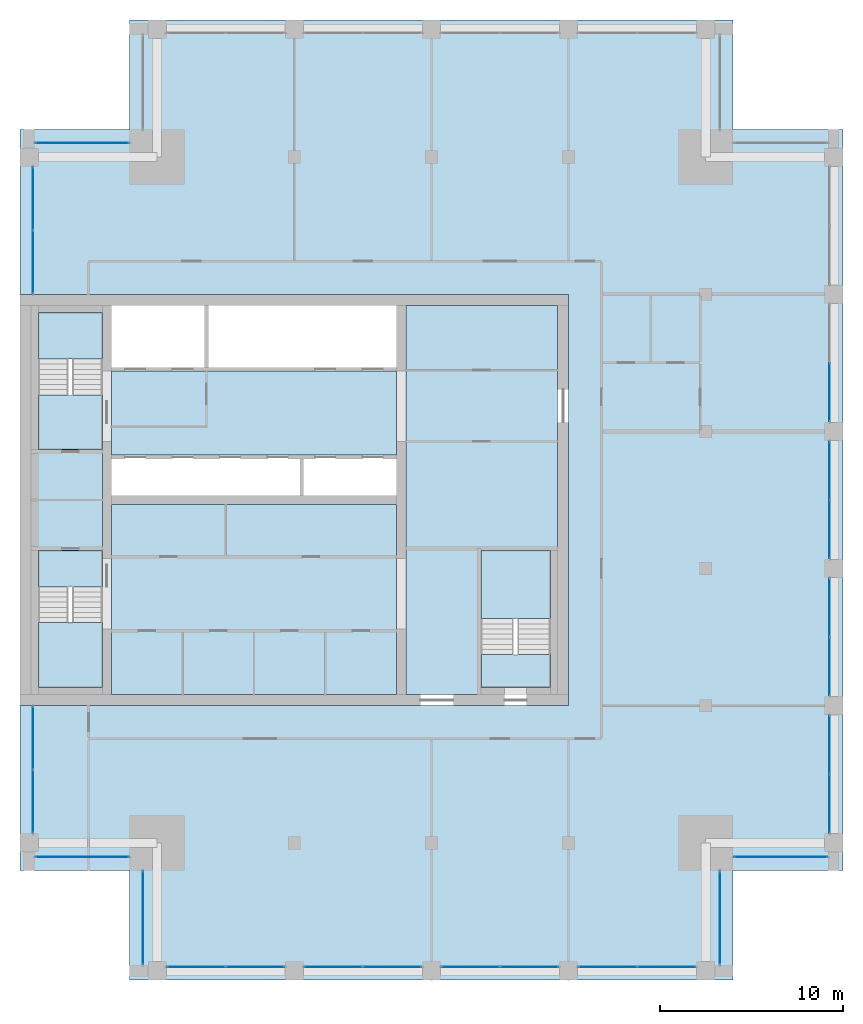
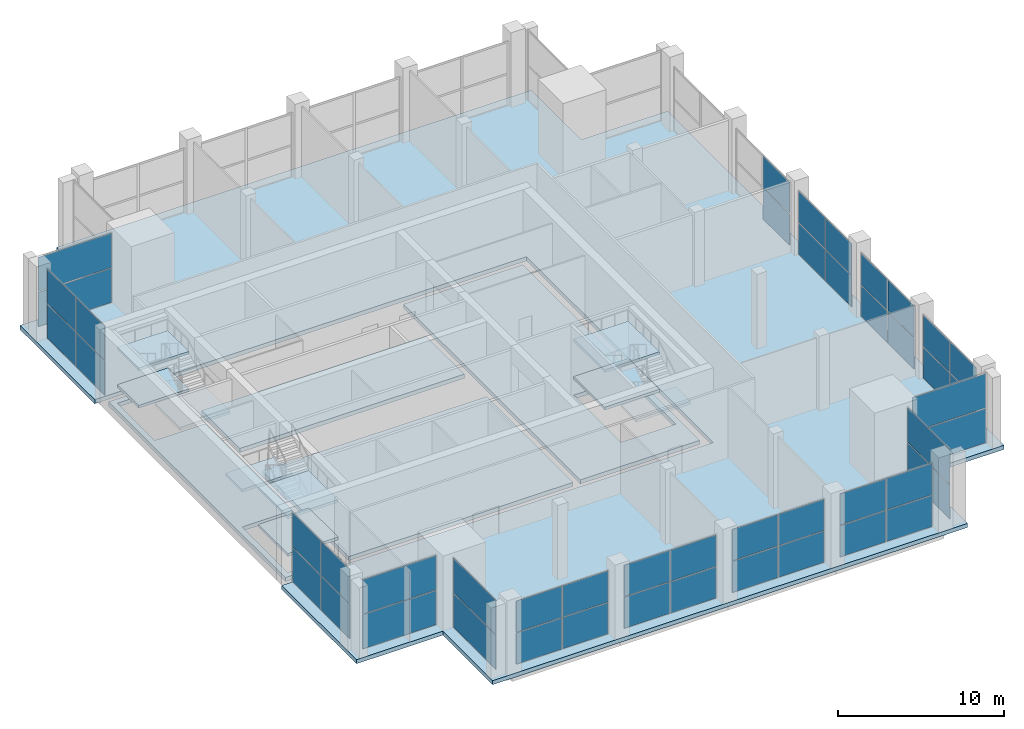
# One storey, part 7 of 15: 48 plates, 14 slabs, 18 elements without a shape of their own.
"""IFC4 building model written with IfcOpenShell, lengths in metres."""

import ifcopenshell
import ifcopenshell.guid

model = None  # the IFC model being written
_history = None  # IfcOwnerHistory: only IFC2X3 demands one
_inside = {}  # id of a spatial element -> (the spatial element, [elements in it])
_under = {}  # id of a project, library or spatial element -> (it, [spatial elements below it])
_declared = {}  # id of a project -> (the project, [libraries it declares])
_typed = {}  # id of a type object -> (the type object, [elements of that type])
_made_of = {}  # id of a material, layer set ... -> (it, [elements and type objects made of it])


def new_model(schema):
    """Start an empty IFC model of exactly this schema.

    Asked for "IFC4X3", IfcOpenShell would pick the latest addendum, in which some entities
    have other attributes; the version numbers below select the first issue.
    IFC2X3 requires an IfcOwnerHistory on every rooted entity: one is made here for all.
    """
    global model, _history
    if schema == "IFC4X3":
        model = ifcopenshell.file(schema_version=(4, 3, 0, 0))
    else:
        model = ifcopenshell.file(schema=schema)
    _inside.clear()
    _under.clear()
    _declared.clear()
    _typed.clear()
    _made_of.clear()
    _history = None
    if model.schema == "IFC2X3":
        org = make("IfcOrganization", Name="unknown")
        user = make(
            "IfcPersonAndOrganization",
            ThePerson=make("IfcPerson", FamilyName="unknown"),
            TheOrganization=org,
        )
        app = make(
            "IfcApplication",
            ApplicationDeveloper=org,
            Version="unknown",
            ApplicationFullName="unknown",
            ApplicationIdentifier="unknown",
        )
        _history = make(
            "IfcOwnerHistory",
            OwningUser=user,
            OwningApplication=app,
            ChangeAction="ADDED",
            CreationDate=0,
        )
    return model


def make(cls, **values):
    """One entity of the class cls with the attributes given. An attribute that is None is left unset."""
    return model.create_entity(
        cls, **{name: value for name, value in values.items() if value is not None}
    )


def rooted(cls, **values):
    """An entity with a GlobalId (a new one), such as an element, a storey or a relation."""
    return make(cls, GlobalId=ifcopenshell.guid.new(), OwnerHistory=_history, **values)


def si_unit(unit_type, name, prefix=None):
    """IfcSIUnit, for example si_unit("LENGTHUNIT", "METRE", prefix="MILLI")."""
    return make("IfcSIUnit", UnitType=unit_type, Prefix=prefix, Name=name)


def assignment(units):
    """IfcUnitAssignment: the units of a project."""
    return None if units is None else make("IfcUnitAssignment", Units=units)


def point(xyz):
    """IfcCartesianPoint."""
    return None if xyz is None else make("IfcCartesianPoint", Coordinates=xyz)


def direction(xyz):
    """IfcDirection."""
    return None if xyz is None else make("IfcDirection", DirectionRatios=xyz)


def frame(location, z_axis=None, x_axis=None):
    """IfcAxis2Placement3D, a coordinate frame: its origin and axes. An axis left out is left unset."""
    return make(
        "IfcAxis2Placement3D",
        Location=point(location),
        Axis=direction(z_axis),
        RefDirection=direction(x_axis),
    )


def frame_2d(location, x_axis=None):
    """IfcAxis2Placement2D, a coordinate frame in the plane: its origin and x axis."""
    return make(
        "IfcAxis2Placement2D", Location=point(location), RefDirection=direction(x_axis)
    )


def origin():
    """The frame at (0, 0, 0) with its axes left unset."""
    return frame((0.0, 0.0, 0.0))


def origin_2d():
    """The frame at (0, 0) in the plane with its x axis left unset."""
    return frame_2d((0.0, 0.0))


def place(relative_to, where):
    """IfcLocalPlacement: puts the frame where relative to a parent placement (None: the world)."""
    return make(
        "IfcLocalPlacement", PlacementRelTo=relative_to, RelativePlacement=where
    )


def context(
    kind, dimensions, precision=None, world=None, true_north=None, identifier=None
):
    """IfcGeometricRepresentationContext, for example the 3D "Model" context."""
    return make(
        "IfcGeometricRepresentationContext",
        ContextIdentifier=identifier,
        ContextType=kind,
        CoordinateSpaceDimension=dimensions,
        Precision=precision,
        WorldCoordinateSystem=world,
        TrueNorth=true_north,
    )


def subcontext(parent, identifier, kind, view, scale=None):
    """IfcGeometricRepresentationSubContext, for example "Body" below "Model"."""
    return make(
        "IfcGeometricRepresentationSubContext",
        ContextIdentifier=identifier,
        ContextType=kind,
        ParentContext=parent,
        TargetScale=scale,
        TargetView=view,
    )


def project(units=None, contexts=None):
    """IfcProject with its units and contexts."""
    return rooted(
        "IfcProject",
        Name="project",
        RepresentationContexts=contexts,
        UnitsInContext=assignment(units),
    )


def spatial(cls, under=None, at=None, **own):
    """A site, building, storey or space (cls), placed at a placement, below another one or the project."""
    s = rooted(cls, ObjectPlacement=at, **own)
    if under is not None:
        _under.setdefault(under.id(), (under, []))[1].append(s)
    return s


def polyline(points):
    """IfcPolyline through the points."""
    return make("IfcPolyline", Points=[point(p) for p in points])


def profile(cls, at=None, kind="AREA", **sizes):
    """A parametric profile (cls). Its sizes go by their IFC names, for example OverallWidth=200.0."""
    return make(cls, ProfileType=kind, Position=at, **sizes)


def rectangle(**sizes):
    """IfcRectangleProfileDef."""
    return profile("IfcRectangleProfileDef", **sizes)


def outline(outer, holes=None, kind="AREA"):
    """IfcArbitraryClosedProfileDef: a profile drawn as a closed curve; with holes, ...WithVoids."""
    if holes is None:
        return make("IfcArbitraryClosedProfileDef", ProfileType=kind, OuterCurve=outer)
    return make(
        "IfcArbitraryProfileDefWithVoids",
        ProfileType=kind,
        OuterCurve=outer,
        InnerCurves=holes,
    )


def extrude(swept, where, along, depth):
    """IfcExtrudedAreaSolid: the profile swept, set in the frame where, extruded along a direction by depth."""
    return make(
        "IfcExtrudedAreaSolid",
        SweptArea=swept,
        Position=where,
        ExtrudedDirection=direction(along),
        Depth=depth,
    )


def shape(context_of_items, identifier, shape_type, items):
    """IfcShapeRepresentation: the items that make up one representation, for example the "Body"."""
    return make(
        "IfcShapeRepresentation",
        ContextOfItems=context_of_items,
        RepresentationIdentifier=identifier,
        RepresentationType=shape_type,
        Items=items,
    )


def material(Name=None, Category=None):
    """IfcMaterial."""
    return make("IfcMaterial", Name=Name, Category=Category)


def layer(
    of_material, thickness, ventilated=None, Name=None, Category=None, Priority=None
):
    """IfcMaterialLayer: one layer of a wall or slab, of a material (None: an air gap)."""
    return make(
        "IfcMaterialLayer",
        Material=of_material,
        LayerThickness=thickness,
        IsVentilated=ventilated,
        Name=Name,
        Category=Category,
        Priority=Priority,
    )


def layer_set(layers, Name=None):
    """IfcMaterialLayerSet."""
    return make("IfcMaterialLayerSet", MaterialLayers=layers, LayerSetName=Name)


def made_of(thing, what):
    """Note that an element or type object is made of a material, layer set ...; save() writes the relation."""
    if what is not None:
        _made_of.setdefault(what.id(), (what, []))[1].append(thing)
    return thing


def type_object(cls, material=None, **own):
    """A type object (cls), such as IfcWallType, which elements share."""
    return made_of(rooted(cls, **own), material)


def element(
    cls,
    number,
    at=None,
    inside=None,
    cuts=None,
    type_object=None,
    material=None,
    context=None,
    identifier="Body",
    shape_type=None,
    held_by="IfcProductDefinitionShape",
    body=None,
    shapes=None,
    **own,
):
    """One element of the class cls, such as IfcWall. Its Tag is "e" and its number.

    at: its placement. inside: the storey or other place that contains it. cuts: it is an
    opening in that element (IfcRelVoidsElement). A single representation is given by context,
    identifier, shape_type and body (its items); several are given by shapes. held_by: the class
    of the entity that holds the representations. save() writes the other relations.
    """
    e = rooted(cls, Tag="e%d" % number, ObjectPlacement=at, **own)
    if body is not None:
        shapes = [shape(context, identifier, shape_type, body)]
    if shapes is not None:
        e.Representation = make(held_by, Representations=shapes)
    if inside is not None:
        _inside.setdefault(inside.id(), (inside, []))[1].append(e)
    if cuts is not None:
        rooted(
            "IfcRelVoidsElement", RelatingBuildingElement=cuts, RelatedOpeningElement=e
        )
    if type_object is not None:
        _typed.setdefault(type_object.id(), (type_object, []))[1].append(e)
    return made_of(e, material)


def aggregate(whole, parts):
    """IfcRelAggregates: a whole, such as a stair, and the parts it consists of."""
    return rooted("IfcRelAggregates", RelatingObject=whole, RelatedObjects=parts)


def save(model, path):
    """Write the relations noted so far, then the file.

    IfcRelAggregates (storeys below a building ...), IfcRelContainedInSpatialStructure (elements
    in a storey), IfcRelDefinesByType, IfcRelAssociatesMaterial and IfcRelDeclares: one each for
    every whole, place, type object, material and project.
    """
    for whole, parts in _under.values():
        aggregate(whole, parts)
    for where, things in _inside.values():
        rooted(
            "IfcRelContainedInSpatialStructure",
            RelatedElements=things,
            RelatingStructure=where,
        )
    for kind, things in _typed.values():
        rooted("IfcRelDefinesByType", RelatedObjects=things, RelatingType=kind)
    for what, things in _made_of.values():
        rooted("IfcRelAssociatesMaterial", RelatedObjects=things, RelatingMaterial=what)
    for by, libraries in _declared.values():
        rooted("IfcRelDeclares", RelatingContext=by, RelatedDefinitions=libraries)
    model.write(path)


model = new_model("IFC4")

# Units and contexts
model_context = context("Model", 3, precision=1e-05, world=origin(), true_north=direction((0.0, 1.0)))
body_context = subcontext(model_context, "Body", "Model", "MODEL_VIEW")
ifc_project = project(units=[si_unit("LENGTHUNIT", "METRE"), si_unit("AREAUNIT", "SQUARE_METRE"), si_unit("VOLUMEUNIT", "CUBIC_METRE"), si_unit("PLANEANGLEUNIT", "RADIAN"), si_unit("MASSUNIT", "GRAM", prefix="KILO")], contexts=[model_context])

# Site, building, storey
site_placement = place(None, origin())
site = spatial("IfcSite", under=ifc_project, at=site_placement, CompositionType="ELEMENT")
building_placement = place(site_placement, origin())
building = spatial("IfcBuilding", under=site, at=building_placement, Name="Tamorin Gate", CompositionType="ELEMENT")
storey_placement = place(building_placement, frame((0.0, 0.0, 292.199951171875)))
storey = spatial("IfcBuildingStorey", under=building, at=storey_placement, Name="L73", CompositionType="ELEMENT", Elevation=292.199951171875)

# Curtain wall, plates
ifc_material_1 = material(Name="Aluminium mullions and transoms with clear glass", Category="aluminium")
ifc_layer_1 = layer(ifc_material_1, 0.159912109375)
ifc_layer_set_1 = layer_set([ifc_layer_1], Name="Curtain wall system CW3")
curtain_wall_type = type_object("IfcCurtainWallType", Name="Curtain wall system CW3", PredefinedType="NOTDEFINED", material=ifc_layer_set_1)
curtain_wall_1_placement = place(storey_placement, origin())
curtain_wall_1 = element("IfcCurtainWall", 1, at=curtain_wall_1_placement, inside=storey, type_object=curtain_wall_type, Name="Curtain wall", PredefinedType="NOTDEFINED")
ifc_material_2 = material(Name="Clear glass", Category="glass")
ifc_layer_2 = layer(ifc_material_2, 0.028076171875)
ifc_layer_set_2 = layer_set([ifc_layer_2], Name="Clear glass panel IGU 28")
plate_type = type_object("IfcPlateType", Name="Clear glass panel IGU 28", PredefinedType="CURTAIN_PANEL", material=ifc_layer_set_2)
plate_1_placement = place(storey_placement, frame((39.639892578125, 45.719970703125, 0.06005859375), z_axis=(0.0, 0.0, 1.0), x_axis=(1.0, 0.0, 0.0)))
plate_1 = element("IfcPlate", 2, at=plate_1_placement, type_object=plate_type, Name="CW3 panel 1.1", PredefinedType="CURTAIN_PANEL", context=body_context, shape_type="SweptSolid", body=[
    extrude(rectangle(XDim=3.159912109375, YDim=0.028076171875, at=origin_2d()), origin(), (0.0, 0.0, 1.0), 2.284912109375),
])
plate_2_placement = place(storey_placement, frame((39.639892578125, 45.719970703125, 2.4052734375), z_axis=(0.0, 0.0, 1.0), x_axis=(1.0, 0.0, 0.0)))
plate_2 = element("IfcPlate", 3, at=plate_2_placement, type_object=plate_type, Name="CW3 panel 1.2", PredefinedType="CURTAIN_PANEL", context=body_context, shape_type="SweptSolid", body=[
    extrude(rectangle(XDim=3.159912109375, YDim=0.028076171875, at=origin_2d()), origin(), (0.0, 0.0, 1.0), 2.284912109375),
])
plate_3_placement = place(storey_placement, frame((42.860107421875, 45.719970703125, 0.06005859375), z_axis=(0.0, 0.0, 1.0), x_axis=(1.0, 0.0, 0.0)))
plate_3 = element("IfcPlate", 4, at=plate_3_placement, type_object=plate_type, Name="CW3 panel 2.1", PredefinedType="CURTAIN_PANEL", context=body_context, shape_type="SweptSolid", body=[
    extrude(rectangle(XDim=3.159912109375, YDim=0.028076171875, at=origin_2d()), origin(), (0.0, 0.0, 1.0), 2.284912109375),
])
plate_4_placement = place(storey_placement, frame((42.860107421875, 45.719970703125, 2.4052734375), z_axis=(0.0, 0.0, 1.0), x_axis=(1.0, 0.0, 0.0)))
plate_4 = element("IfcPlate", 5, at=plate_4_placement, type_object=plate_type, Name="CW3 panel 2.2", PredefinedType="CURTAIN_PANEL", context=body_context, shape_type="SweptSolid", body=[
    extrude(rectangle(XDim=3.159912109375, YDim=0.028076171875, at=origin_2d()), origin(), (0.0, 0.0, 1.0), 2.284912109375),
])
aggregate(curtain_wall_1, [plate_1, plate_2, plate_3, plate_4])

curtain_wall_2_placement = place(storey_placement, origin())
curtain_wall_2 = element("IfcCurtainWall", 6, at=curtain_wall_2_placement, inside=storey, type_object=curtain_wall_type, Name="Curtain wall", PredefinedType="NOTDEFINED")
plate_5_placement = place(storey_placement, frame((47.139892578125, 45.719970703125, 0.06005859375), z_axis=(0.0, 0.0, 1.0), x_axis=(1.0, 0.0, 0.0)))
plate_5 = element("IfcPlate", 7, at=plate_5_placement, type_object=plate_type, Name="CW3 panel 1.1", PredefinedType="CURTAIN_PANEL", context=body_context, shape_type="SweptSolid", body=[
    extrude(rectangle(XDim=3.159912109375, YDim=0.028076171875, at=origin_2d()), origin(), (0.0, 0.0, 1.0), 2.284912109375),
])
plate_6_placement = place(storey_placement, frame((47.139892578125, 45.719970703125, 2.4052734375), z_axis=(0.0, 0.0, 1.0), x_axis=(1.0, 0.0, 0.0)))
plate_6 = element("IfcPlate", 8, at=plate_6_placement, type_object=plate_type, Name="CW3 panel 1.2", PredefinedType="CURTAIN_PANEL", context=body_context, shape_type="SweptSolid", body=[
    extrude(rectangle(XDim=3.159912109375, YDim=0.028076171875, at=origin_2d()), origin(), (0.0, 0.0, 1.0), 2.284912109375),
])
plate_7_placement = place(storey_placement, frame((50.360107421875, 45.719970703125, 0.06005859375), z_axis=(0.0, 0.0, 1.0), x_axis=(1.0, 0.0, 0.0)))
plate_7 = element("IfcPlate", 9, at=plate_7_placement, type_object=plate_type, Name="CW3 panel 2.1", PredefinedType="CURTAIN_PANEL", context=body_context, shape_type="SweptSolid", body=[
    extrude(rectangle(XDim=3.159912109375, YDim=0.028076171875, at=origin_2d()), origin(), (0.0, 0.0, 1.0), 2.284912109375),
])
plate_8_placement = place(storey_placement, frame((50.360107421875, 45.719970703125, 2.4052734375), z_axis=(0.0, 0.0, 1.0), x_axis=(1.0, 0.0, 0.0)))
plate_8 = element("IfcPlate", 10, at=plate_8_placement, type_object=plate_type, Name="CW3 panel 2.2", PredefinedType="CURTAIN_PANEL", context=body_context, shape_type="SweptSolid", body=[
    extrude(rectangle(XDim=3.159912109375, YDim=0.028076171875, at=origin_2d()), origin(), (0.0, 0.0, 1.0), 2.284912109375),
])
aggregate(curtain_wall_2, [plate_5, plate_6, plate_7, plate_8])

curtain_wall_3_placement = place(storey_placement, origin())
curtain_wall_3 = element("IfcCurtainWall", 11, at=curtain_wall_3_placement, inside=storey, type_object=curtain_wall_type, Name="Curtain wall", PredefinedType="NOTDEFINED")
plate_9_placement = place(storey_placement, frame((54.639892578125, 45.719970703125, 0.06005859375), z_axis=(0.0, 0.0, 1.0), x_axis=(1.0, 0.0, 0.0)))
plate_9 = element("IfcPlate", 12, at=plate_9_placement, type_object=plate_type, Name="CW3 panel 1.1", PredefinedType="CURTAIN_PANEL", context=body_context, shape_type="SweptSolid", body=[
    extrude(rectangle(XDim=3.159912109375, YDim=0.028076171875, at=origin_2d()), origin(), (0.0, 0.0, 1.0), 2.284912109375),
])
plate_10_placement = place(storey_placement, frame((54.639892578125, 45.719970703125, 2.4052734375), z_axis=(0.0, 0.0, 1.0), x_axis=(1.0, 0.0, 0.0)))
plate_10 = element("IfcPlate", 13, at=plate_10_placement, type_object=plate_type, Name="CW3 panel 1.2", PredefinedType="CURTAIN_PANEL", context=body_context, shape_type="SweptSolid", body=[
    extrude(rectangle(XDim=3.159912109375, YDim=0.028076171875, at=origin_2d()), origin(), (0.0, 0.0, 1.0), 2.284912109375),
])
plate_11_placement = place(storey_placement, frame((57.860107421875, 45.719970703125, 0.06005859375), z_axis=(0.0, 0.0, 1.0), x_axis=(1.0, 0.0, 0.0)))
plate_11 = element("IfcPlate", 14, at=plate_11_placement, type_object=plate_type, Name="CW3 panel 2.1", PredefinedType="CURTAIN_PANEL", context=body_context, shape_type="SweptSolid", body=[
    extrude(rectangle(XDim=3.159912109375, YDim=0.028076171875, at=origin_2d()), origin(), (0.0, 0.0, 1.0), 2.284912109375),
])
plate_12_placement = place(storey_placement, frame((57.860107421875, 45.719970703125, 2.4052734375), z_axis=(0.0, 0.0, 1.0), x_axis=(1.0, 0.0, 0.0)))
plate_12 = element("IfcPlate", 15, at=plate_12_placement, type_object=plate_type, Name="CW3 panel 2.2", PredefinedType="CURTAIN_PANEL", context=body_context, shape_type="SweptSolid", body=[
    extrude(rectangle(XDim=3.159912109375, YDim=0.028076171875, at=origin_2d()), origin(), (0.0, 0.0, 1.0), 2.284912109375),
])
aggregate(curtain_wall_3, [plate_9, plate_10, plate_11, plate_12])

curtain_wall_4_placement = place(storey_placement, origin())
curtain_wall_4 = element("IfcCurtainWall", 16, at=curtain_wall_4_placement, inside=storey, type_object=curtain_wall_type, Name="Curtain wall", PredefinedType="NOTDEFINED")
plate_13_placement = place(storey_placement, frame((62.139892578125, 45.719970703125, 0.06005859375), z_axis=(0.0, 0.0, 1.0), x_axis=(1.0, 0.0, 0.0)))
plate_13 = element("IfcPlate", 17, at=plate_13_placement, type_object=plate_type, Name="CW3 panel 1.1", PredefinedType="CURTAIN_PANEL", context=body_context, shape_type="SweptSolid", body=[
    extrude(rectangle(XDim=3.159912109375, YDim=0.028076171875, at=origin_2d()), origin(), (0.0, 0.0, 1.0), 2.284912109375),
])
plate_14_placement = place(storey_placement, frame((62.139892578125, 45.719970703125, 2.4052734375), z_axis=(0.0, 0.0, 1.0), x_axis=(1.0, 0.0, 0.0)))
plate_14 = element("IfcPlate", 18, at=plate_14_placement, type_object=plate_type, Name="CW3 panel 1.2", PredefinedType="CURTAIN_PANEL", context=body_context, shape_type="SweptSolid", body=[
    extrude(rectangle(XDim=3.159912109375, YDim=0.028076171875, at=origin_2d()), origin(), (0.0, 0.0, 1.0), 2.284912109375),
])
plate_15_placement = place(storey_placement, frame((65.360107421875, 45.719970703125, 0.06005859375), z_axis=(0.0, 0.0, 1.0), x_axis=(1.0, 0.0, 0.0)))
plate_15 = element("IfcPlate", 19, at=plate_15_placement, type_object=plate_type, Name="CW3 panel 2.1", PredefinedType="CURTAIN_PANEL", context=body_context, shape_type="SweptSolid", body=[
    extrude(rectangle(XDim=3.159912109375, YDim=0.028076171875, at=origin_2d()), origin(), (0.0, 0.0, 1.0), 2.284912109375),
])
plate_16_placement = place(storey_placement, frame((65.360107421875, 45.719970703125, 2.4052734375), z_axis=(0.0, 0.0, 1.0), x_axis=(1.0, 0.0, 0.0)))
plate_16 = element("IfcPlate", 20, at=plate_16_placement, type_object=plate_type, Name="CW3 panel 2.2", PredefinedType="CURTAIN_PANEL", context=body_context, shape_type="SweptSolid", body=[
    extrude(rectangle(XDim=3.159912109375, YDim=0.028076171875, at=origin_2d()), origin(), (0.0, 0.0, 1.0), 2.284912109375),
])
aggregate(curtain_wall_4, [plate_13, plate_14, plate_15, plate_16])

curtain_wall_5_placement = place(storey_placement, origin())
curtain_wall_5 = element("IfcCurtainWall", 21, at=curtain_wall_5_placement, inside=storey, type_object=curtain_wall_type, Name="Curtain wall", PredefinedType="NOTDEFINED")
plate_17_placement = place(storey_placement, frame((68.280029296875, 48.39990234375, 0.06005859375), z_axis=(0.0, 0.0, 1.0), x_axis=(0.0, 1.0, 0.0)))
plate_17 = element("IfcPlate", 22, at=plate_17_placement, type_object=plate_type, Name="CW3 panel 1.1", PredefinedType="CURTAIN_PANEL", context=body_context, shape_type="SweptSolid", body=[
    extrude(rectangle(XDim=5.080078125, YDim=0.028076171875, at=origin_2d()), origin(), (0.0, 0.0, 1.0), 2.510009765625),
])
plate_18_placement = place(storey_placement, frame((68.280029296875, 48.39990234375, 2.6298828125), z_axis=(0.0, 0.0, 1.0), x_axis=(0.0, 1.0, 0.0)))
plate_18 = element("IfcPlate", 23, at=plate_18_placement, type_object=plate_type, Name="CW3 panel 1.2", PredefinedType="CURTAIN_PANEL", context=body_context, shape_type="SweptSolid", body=[
    extrude(rectangle(XDim=5.080078125, YDim=0.028076171875, at=origin_2d()), origin(), (0.0, 0.0, 1.0), 2.510009765625),
])
aggregate(curtain_wall_5, [plate_17, plate_18])

curtain_wall_6_placement = place(storey_placement, origin())
curtain_wall_6 = element("IfcCurtainWall", 24, at=curtain_wall_6_placement, inside=storey, type_object=curtain_wall_type, Name="Curtain wall", PredefinedType="NOTDEFINED")
plate_19_placement = place(storey_placement, frame((71.60009765625, 51.719970703125, 0.06005859375), z_axis=(0.0, 0.0, 1.0), x_axis=(1.0, 0.0, 0.0)))
plate_19 = element("IfcPlate", 25, at=plate_19_placement, type_object=plate_type, Name="CW3 panel 1.1", PredefinedType="CURTAIN_PANEL", context=body_context, shape_type="SweptSolid", body=[
    extrude(rectangle(XDim=5.080078125, YDim=0.028076171875, at=origin_2d()), origin(), (0.0, 0.0, 1.0), 2.510009765625),
])
plate_20_placement = place(storey_placement, frame((71.60009765625, 51.719970703125, 2.6298828125), z_axis=(0.0, 0.0, 1.0), x_axis=(1.0, 0.0, 0.0)))
plate_20 = element("IfcPlate", 26, at=plate_20_placement, type_object=plate_type, Name="CW3 panel 1.2", PredefinedType="CURTAIN_PANEL", context=body_context, shape_type="SweptSolid", body=[
    extrude(rectangle(XDim=5.080078125, YDim=0.028076171875, at=origin_2d()), origin(), (0.0, 0.0, 1.0), 2.510009765625),
])
aggregate(curtain_wall_6, [plate_19, plate_20])

curtain_wall_7_placement = place(storey_placement, origin())
curtain_wall_7 = element("IfcCurtainWall", 27, at=curtain_wall_7_placement, inside=storey, type_object=curtain_wall_type, Name="Curtain wall", PredefinedType="NOTDEFINED")
plate_21_placement = place(storey_placement, frame((74.280029296875, 54.639892578125, 0.06005859375), z_axis=(0.0, 0.0, 1.0), x_axis=(0.0, 1.0, 0.0)))
plate_21 = element("IfcPlate", 28, at=plate_21_placement, type_object=plate_type, Name="CW3 panel 1.1", PredefinedType="CURTAIN_PANEL", context=body_context, shape_type="SweptSolid", body=[
    extrude(rectangle(XDim=3.159912109375, YDim=0.028076171875, at=origin_2d()), origin(), (0.0, 0.0, 1.0), 2.284912109375),
])
plate_22_placement = place(storey_placement, frame((74.280029296875, 54.639892578125, 2.4052734375), z_axis=(0.0, 0.0, 1.0), x_axis=(0.0, 1.0, 0.0)))
plate_22 = element("IfcPlate", 29, at=plate_22_placement, type_object=plate_type, Name="CW3 panel 1.2", PredefinedType="CURTAIN_PANEL", context=body_context, shape_type="SweptSolid", body=[
    extrude(rectangle(XDim=3.159912109375, YDim=0.028076171875, at=origin_2d()), origin(), (0.0, 0.0, 1.0), 2.284912109375),
])
plate_23_placement = place(storey_placement, frame((74.280029296875, 57.860107421875, 0.06005859375), z_axis=(0.0, 0.0, 1.0), x_axis=(0.0, 1.0, 0.0)))
plate_23 = element("IfcPlate", 30, at=plate_23_placement, type_object=plate_type, Name="CW3 panel 2.1", PredefinedType="CURTAIN_PANEL", context=body_context, shape_type="SweptSolid", body=[
    extrude(rectangle(XDim=3.159912109375, YDim=0.028076171875, at=origin_2d()), origin(), (0.0, 0.0, 1.0), 2.284912109375),
])
plate_24_placement = place(storey_placement, frame((74.280029296875, 57.860107421875, 2.4052734375), z_axis=(0.0, 0.0, 1.0), x_axis=(0.0, 1.0, 0.0)))
plate_24 = element("IfcPlate", 31, at=plate_24_placement, type_object=plate_type, Name="CW3 panel 2.2", PredefinedType="CURTAIN_PANEL", context=body_context, shape_type="SweptSolid", body=[
    extrude(rectangle(XDim=3.159912109375, YDim=0.028076171875, at=origin_2d()), origin(), (0.0, 0.0, 1.0), 2.284912109375),
])
aggregate(curtain_wall_7, [plate_21, plate_22, plate_23, plate_24])

curtain_wall_8_placement = place(storey_placement, origin())
curtain_wall_8 = element("IfcCurtainWall", 32, at=curtain_wall_8_placement, inside=storey, type_object=curtain_wall_type, Name="Curtain wall", PredefinedType="NOTDEFINED")
plate_25_placement = place(storey_placement, frame((74.280029296875, 62.139892578125, 0.06005859375), z_axis=(0.0, 0.0, 1.0), x_axis=(0.0, 1.0, 0.0)))
plate_25 = element("IfcPlate", 33, at=plate_25_placement, type_object=plate_type, Name="CW3 panel 1.1", PredefinedType="CURTAIN_PANEL", context=body_context, shape_type="SweptSolid", body=[
    extrude(rectangle(XDim=3.159912109375, YDim=0.028076171875, at=origin_2d()), origin(), (0.0, 0.0, 1.0), 2.284912109375),
])
plate_26_placement = place(storey_placement, frame((74.280029296875, 62.139892578125, 2.4052734375), z_axis=(0.0, 0.0, 1.0), x_axis=(0.0, 1.0, 0.0)))
plate_26 = element("IfcPlate", 34, at=plate_26_placement, type_object=plate_type, Name="CW3 panel 1.2", PredefinedType="CURTAIN_PANEL", context=body_context, shape_type="SweptSolid", body=[
    extrude(rectangle(XDim=3.159912109375, YDim=0.028076171875, at=origin_2d()), origin(), (0.0, 0.0, 1.0), 2.284912109375),
])
plate_27_placement = place(storey_placement, frame((74.280029296875, 65.360107421875, 0.06005859375), z_axis=(0.0, 0.0, 1.0), x_axis=(0.0, 1.0, 0.0)))
plate_27 = element("IfcPlate", 35, at=plate_27_placement, type_object=plate_type, Name="CW3 panel 2.1", PredefinedType="CURTAIN_PANEL", context=body_context, shape_type="SweptSolid", body=[
    extrude(rectangle(XDim=3.159912109375, YDim=0.028076171875, at=origin_2d()), origin(), (0.0, 0.0, 1.0), 2.284912109375),
])
plate_28_placement = place(storey_placement, frame((74.280029296875, 65.360107421875, 2.4052734375), z_axis=(0.0, 0.0, 1.0), x_axis=(0.0, 1.0, 0.0)))
plate_28 = element("IfcPlate", 36, at=plate_28_placement, type_object=plate_type, Name="CW3 panel 2.2", PredefinedType="CURTAIN_PANEL", context=body_context, shape_type="SweptSolid", body=[
    extrude(rectangle(XDim=3.159912109375, YDim=0.028076171875, at=origin_2d()), origin(), (0.0, 0.0, 1.0), 2.284912109375),
])
aggregate(curtain_wall_8, [plate_25, plate_26, plate_27, plate_28])

curtain_wall_9_placement = place(storey_placement, origin())
curtain_wall_9 = element("IfcCurtainWall", 37, at=curtain_wall_9_placement, inside=storey, type_object=curtain_wall_type, Name="Curtain wall", PredefinedType="NOTDEFINED")
plate_29_placement = place(storey_placement, frame((74.280029296875, 69.639892578125, 0.06005859375), z_axis=(0.0, 0.0, 1.0), x_axis=(0.0, 1.0, 0.0)))
plate_29 = element("IfcPlate", 38, at=plate_29_placement, type_object=plate_type, Name="CW3 panel 1.1", PredefinedType="CURTAIN_PANEL", context=body_context, shape_type="SweptSolid", body=[
    extrude(rectangle(XDim=3.159912109375, YDim=0.028076171875, at=origin_2d()), origin(), (0.0, 0.0, 1.0), 2.284912109375),
])
plate_30_placement = place(storey_placement, frame((74.280029296875, 69.639892578125, 2.4052734375), z_axis=(0.0, 0.0, 1.0), x_axis=(0.0, 1.0, 0.0)))
plate_30 = element("IfcPlate", 39, at=plate_30_placement, type_object=plate_type, Name="CW3 panel 1.2", PredefinedType="CURTAIN_PANEL", context=body_context, shape_type="SweptSolid", body=[
    extrude(rectangle(XDim=3.159912109375, YDim=0.028076171875, at=origin_2d()), origin(), (0.0, 0.0, 1.0), 2.284912109375),
])
plate_31_placement = place(storey_placement, frame((74.280029296875, 72.860107421875, 0.06005859375), z_axis=(0.0, 0.0, 1.0), x_axis=(0.0, 1.0, 0.0)))
plate_31 = element("IfcPlate", 40, at=plate_31_placement, type_object=plate_type, Name="CW3 panel 2.1", PredefinedType="CURTAIN_PANEL", context=body_context, shape_type="SweptSolid", body=[
    extrude(rectangle(XDim=3.159912109375, YDim=0.028076171875, at=origin_2d()), origin(), (0.0, 0.0, 1.0), 2.284912109375),
])
plate_32_placement = place(storey_placement, frame((74.280029296875, 72.860107421875, 2.4052734375), z_axis=(0.0, 0.0, 1.0), x_axis=(0.0, 1.0, 0.0)))
plate_32 = element("IfcPlate", 41, at=plate_32_placement, type_object=plate_type, Name="CW3 panel 2.2", PredefinedType="CURTAIN_PANEL", context=body_context, shape_type="SweptSolid", body=[
    extrude(rectangle(XDim=3.159912109375, YDim=0.028076171875, at=origin_2d()), origin(), (0.0, 0.0, 1.0), 2.284912109375),
])
aggregate(curtain_wall_9, [plate_29, plate_30, plate_31, plate_32])

curtain_wall_10_placement = place(storey_placement, origin())
curtain_wall_10 = element("IfcCurtainWall", 42, at=curtain_wall_10_placement, inside=storey, type_object=curtain_wall_type, Name="Curtain wall", PredefinedType="NOTDEFINED")
plate_33_placement = place(storey_placement, frame((74.280029296875, 77.139892578125, 0.06005859375), z_axis=(0.0, 0.0, 1.0), x_axis=(0.0, 1.0, 0.0)))
plate_33 = element("IfcPlate", 43, at=plate_33_placement, type_object=plate_type, Name="CW3 panel 1.1", PredefinedType="CURTAIN_PANEL", context=body_context, shape_type="SweptSolid", body=[
    extrude(rectangle(XDim=3.159912109375, YDim=0.028076171875, at=origin_2d()), origin(), (0.0, 0.0, 1.0), 2.284912109375),
])
plate_34_placement = place(storey_placement, frame((74.280029296875, 77.139892578125, 2.4052734375), z_axis=(0.0, 0.0, 1.0), x_axis=(0.0, 1.0, 0.0)))
plate_34 = element("IfcPlate", 44, at=plate_34_placement, type_object=plate_type, Name="CW3 panel 1.2", PredefinedType="CURTAIN_PANEL", context=body_context, shape_type="SweptSolid", body=[
    extrude(rectangle(XDim=3.159912109375, YDim=0.028076171875, at=origin_2d()), origin(), (0.0, 0.0, 1.0), 2.284912109375),
])
aggregate(curtain_wall_10, [plate_33, plate_34])

curtain_wall_11_placement = place(storey_placement, origin())
curtain_wall_11 = element("IfcCurtainWall", 45, at=curtain_wall_11_placement, inside=storey, type_object=curtain_wall_type, Name="Curtain wall", PredefinedType="NOTDEFINED")
plate_35_placement = place(storey_placement, frame((33.39990234375, 90.780029296875, 0.06005859375), z_axis=(0.0, 0.0, 1.0), x_axis=(-1.0, 0.0, 0.0)))
plate_35 = element("IfcPlate", 46, at=plate_35_placement, type_object=plate_type, Name="CW3 panel 1.1", PredefinedType="CURTAIN_PANEL", context=body_context, shape_type="SweptSolid", body=[
    extrude(rectangle(XDim=5.080078125, YDim=0.028076171875, at=origin_2d()), origin(), (0.0, 0.0, 1.0), 2.510009765625),
])
plate_36_placement = place(storey_placement, frame((33.39990234375, 90.780029296875, 2.6298828125), z_axis=(0.0, 0.0, 1.0), x_axis=(-1.0, 0.0, 0.0)))
plate_36 = element("IfcPlate", 47, at=plate_36_placement, type_object=plate_type, Name="CW3 panel 1.2", PredefinedType="CURTAIN_PANEL", context=body_context, shape_type="SweptSolid", body=[
    extrude(rectangle(XDim=5.080078125, YDim=0.028076171875, at=origin_2d()), origin(), (0.0, 0.0, 1.0), 2.510009765625),
])
aggregate(curtain_wall_11, [plate_35, plate_36])

curtain_wall_12_placement = place(storey_placement, origin())
curtain_wall_12 = element("IfcCurtainWall", 48, at=curtain_wall_12_placement, inside=storey, type_object=curtain_wall_type, Name="Curtain wall", PredefinedType="NOTDEFINED")
plate_37_placement = place(storey_placement, frame((30.719970703125, 87.735107421875, 0.06005859375), z_axis=(0.0, 0.0, 1.0), x_axis=(0.0, -1.0, 0.0)))
plate_37 = element("IfcPlate", 49, at=plate_37_placement, type_object=plate_type, Name="CW3 panel 1.1", PredefinedType="CURTAIN_PANEL", context=body_context, shape_type="SweptSolid", body=[
    extrude(rectangle(XDim=3.409912109375, YDim=0.028076171875, at=origin_2d()), origin(), (0.0, 0.0, 1.0), 2.510009765625),
])
plate_38_placement = place(storey_placement, frame((30.719970703125, 87.735107421875, 2.6298828125), z_axis=(0.0, 0.0, 1.0), x_axis=(0.0, -1.0, 0.0)))
plate_38 = element("IfcPlate", 50, at=plate_38_placement, type_object=plate_type, Name="CW3 panel 1.2", PredefinedType="CURTAIN_PANEL", context=body_context, shape_type="SweptSolid", body=[
    extrude(rectangle(XDim=3.409912109375, YDim=0.028076171875, at=origin_2d()), origin(), (0.0, 0.0, 1.0), 2.510009765625),
])
plate_39_placement = place(storey_placement, frame((30.719970703125, 84.264892578125, 0.06005859375), z_axis=(0.0, 0.0, 1.0), x_axis=(0.0, -1.0, 0.0)))
plate_39 = element("IfcPlate", 51, at=plate_39_placement, type_object=plate_type, Name="CW3 panel 2.1", PredefinedType="CURTAIN_PANEL", context=body_context, shape_type="SweptSolid", body=[
    extrude(rectangle(XDim=3.409912109375, YDim=0.028076171875, at=origin_2d()), origin(), (0.0, 0.0, 1.0), 2.510009765625),
])
plate_40_placement = place(storey_placement, frame((30.719970703125, 84.264892578125, 2.6298828125), z_axis=(0.0, 0.0, 1.0), x_axis=(0.0, -1.0, 0.0)))
plate_40 = element("IfcPlate", 52, at=plate_40_placement, type_object=plate_type, Name="CW3 panel 2.2", PredefinedType="CURTAIN_PANEL", context=body_context, shape_type="SweptSolid", body=[
    extrude(rectangle(XDim=3.409912109375, YDim=0.028076171875, at=origin_2d()), origin(), (0.0, 0.0, 1.0), 2.510009765625),
])
aggregate(curtain_wall_12, [plate_37, plate_38, plate_39, plate_40])

curtain_wall_13_placement = place(storey_placement, origin())
curtain_wall_13 = element("IfcCurtainWall", 53, at=curtain_wall_13_placement, inside=storey, type_object=curtain_wall_type, Name="Curtain wall", PredefinedType="NOTDEFINED")
plate_41_placement = place(storey_placement, frame((30.719970703125, 58.235107421875, 0.06005859375), z_axis=(0.0, 0.0, 1.0), x_axis=(0.0, -1.0, 0.0)))
plate_41 = element("IfcPlate", 54, at=plate_41_placement, type_object=plate_type, Name="CW3 panel 1.1", PredefinedType="CURTAIN_PANEL", context=body_context, shape_type="SweptSolid", body=[
    extrude(rectangle(XDim=3.409912109375, YDim=0.028076171875, at=origin_2d()), origin(), (0.0, 0.0, 1.0), 2.510009765625),
])
plate_42_placement = place(storey_placement, frame((30.719970703125, 58.235107421875, 2.6298828125), z_axis=(0.0, 0.0, 1.0), x_axis=(0.0, -1.0, 0.0)))
plate_42 = element("IfcPlate", 55, at=plate_42_placement, type_object=plate_type, Name="CW3 panel 1.2", PredefinedType="CURTAIN_PANEL", context=body_context, shape_type="SweptSolid", body=[
    extrude(rectangle(XDim=3.409912109375, YDim=0.028076171875, at=origin_2d()), origin(), (0.0, 0.0, 1.0), 2.510009765625),
])
plate_43_placement = place(storey_placement, frame((30.719970703125, 54.764892578125, 0.06005859375), z_axis=(0.0, 0.0, 1.0), x_axis=(0.0, -1.0, 0.0)))
plate_43 = element("IfcPlate", 56, at=plate_43_placement, type_object=plate_type, Name="CW3 panel 2.1", PredefinedType="CURTAIN_PANEL", context=body_context, shape_type="SweptSolid", body=[
    extrude(rectangle(XDim=3.409912109375, YDim=0.028076171875, at=origin_2d()), origin(), (0.0, 0.0, 1.0), 2.510009765625),
])
plate_44_placement = place(storey_placement, frame((30.719970703125, 54.764892578125, 2.6298828125), z_axis=(0.0, 0.0, 1.0), x_axis=(0.0, -1.0, 0.0)))
plate_44 = element("IfcPlate", 57, at=plate_44_placement, type_object=plate_type, Name="CW3 panel 2.2", PredefinedType="CURTAIN_PANEL", context=body_context, shape_type="SweptSolid", body=[
    extrude(rectangle(XDim=3.409912109375, YDim=0.028076171875, at=origin_2d()), origin(), (0.0, 0.0, 1.0), 2.510009765625),
])
aggregate(curtain_wall_13, [plate_41, plate_42, plate_43, plate_44])

curtain_wall_14_placement = place(storey_placement, origin())
curtain_wall_14 = element("IfcCurtainWall", 58, at=curtain_wall_14_placement, inside=storey, type_object=curtain_wall_type, Name="Curtain wall", PredefinedType="NOTDEFINED")
plate_45_placement = place(storey_placement, frame((33.39990234375, 51.719970703125, 0.06005859375), z_axis=(0.0, 0.0, 1.0), x_axis=(1.0, 0.0, 0.0)))
plate_45 = element("IfcPlate", 59, at=plate_45_placement, type_object=plate_type, Name="CW3 panel 1.1", PredefinedType="CURTAIN_PANEL", context=body_context, shape_type="SweptSolid", body=[
    extrude(rectangle(XDim=5.080078125, YDim=0.028076171875, at=origin_2d()), origin(), (0.0, 0.0, 1.0), 2.510009765625),
])
plate_46_placement = place(storey_placement, frame((33.39990234375, 51.719970703125, 2.6298828125), z_axis=(0.0, 0.0, 1.0), x_axis=(1.0, 0.0, 0.0)))
plate_46 = element("IfcPlate", 60, at=plate_46_placement, type_object=plate_type, Name="CW3 panel 1.2", PredefinedType="CURTAIN_PANEL", context=body_context, shape_type="SweptSolid", body=[
    extrude(rectangle(XDim=5.080078125, YDim=0.028076171875, at=origin_2d()), origin(), (0.0, 0.0, 1.0), 2.510009765625),
])
aggregate(curtain_wall_14, [plate_45, plate_46])

curtain_wall_15_placement = place(storey_placement, origin())
curtain_wall_15 = element("IfcCurtainWall", 61, at=curtain_wall_15_placement, inside=storey, type_object=curtain_wall_type, Name="Curtain wall", PredefinedType="NOTDEFINED")
plate_47_placement = place(storey_placement, frame((36.719970703125, 48.39990234375, 0.06005859375), z_axis=(0.0, 0.0, 1.0), x_axis=(0.0, -1.0, 0.0)))
plate_47 = element("IfcPlate", 62, at=plate_47_placement, type_object=plate_type, Name="CW3 panel 1.1", PredefinedType="CURTAIN_PANEL", context=body_context, shape_type="SweptSolid", body=[
    extrude(rectangle(XDim=5.080078125, YDim=0.028076171875, at=origin_2d()), origin(), (0.0, 0.0, 1.0), 2.510009765625),
])
plate_48_placement = place(storey_placement, frame((36.719970703125, 48.39990234375, 2.6298828125), z_axis=(0.0, 0.0, 1.0), x_axis=(0.0, -1.0, 0.0)))
plate_48 = element("IfcPlate", 63, at=plate_48_placement, type_object=plate_type, Name="CW3 panel 1.2", PredefinedType="CURTAIN_PANEL", context=body_context, shape_type="SweptSolid", body=[
    extrude(rectangle(XDim=5.080078125, YDim=0.028076171875, at=origin_2d()), origin(), (0.0, 0.0, 1.0), 2.510009765625),
])
aggregate(curtain_wall_15, [plate_47, plate_48])

# Slabs
ifc_material_3 = material(Name="Concrete C40/50", Category="concrete")
ifc_layer_3 = layer(ifc_material_3, 0.300048828125)
ifc_layer_set_3 = layer_set([ifc_layer_3], Name="Core floor slab 300 C40/50")
slab_type_1 = type_object("IfcSlabType", Name="Core floor slab 300 C40/50", PredefinedType="FLOOR", material=ifc_layer_set_3)
slab_1_placement = place(storey_placement, frame((0.0, 0.0, -0.300048828125)))
element("IfcSlab", 64, at=slab_1_placement, inside=storey, type_object=slab_type_1, Name="Core floor L73", PredefinedType="FLOOR", context=body_context, shape_type="SweptSolid", body=[
    extrude(outline(polyline([(51.10009765625, 81.89990234375), (59.39990234375, 81.89990234375), (59.39990234375, 60.60009765625), (51.10009765625, 60.60009765625), (51.10009765625, 81.89990234375)]), holes=[polyline([(55.199951171875, 62.800048828125), (59.0, 62.800048828125), (59.0, 68.5), (55.199951171875, 68.5), (55.199951171875, 62.800048828125)])]), origin(), (0.0, 0.0, 1.0), 0.300048828125),
])
slab_2_placement = place(storey_placement, frame((0.0, 0.0, -0.300048828125)))
element("IfcSlab", 65, at=slab_2_placement, inside=storey, type_object=slab_type_1, Name="Core floor L73", PredefinedType="FLOOR", context=body_context, shape_type="SweptSolid", body=[
    extrude(outline(polyline([(50.60009765625, 71.0), (50.60009765625, 60.60009765625), (35.0, 60.60009765625), (35.0, 71.0), (50.60009765625, 71.0)])), origin(), (0.0, 0.0, 1.0), 0.300048828125),
])
slab_3_placement = place(storey_placement, frame((0.0, 0.0, -0.300048828125)))
element("IfcSlab", 66, at=slab_3_placement, inside=storey, type_object=slab_type_1, Name="Core floor L73", PredefinedType="FLOOR", context=body_context, shape_type="SweptSolid", body=[
    extrude(outline(polyline([(50.60009765625, 73.699951171875), (35.0, 73.699951171875), (35.0, 78.300048828125), (50.60009765625, 78.300048828125), (50.60009765625, 73.699951171875)])), origin(), (0.0, 0.0, 1.0), 0.300048828125),
])
slab_4_placement = place(storey_placement, frame((0.0, 0.0, -0.300048828125)))
element("IfcSlab", 67, at=slab_4_placement, inside=storey, type_object=slab_type_1, Name="Core floor L73", PredefinedType="FLOOR", context=body_context, shape_type="SweptSolid", body=[
    extrude(outline(polyline([(34.5, 60.60009765625), (30.60009765625, 60.60009765625), (30.60009765625, 81.89990234375), (34.5, 81.89990234375), (34.5, 81.5), (31.0, 81.5), (31.0, 77.0), (34.5, 77.0), (34.5, 66.5), (31.0, 66.5), (31.0, 61.0), (34.5, 61.0), (34.5, 60.60009765625)])), origin(), (0.0, 0.0, 1.0), 0.300048828125),
])

# Stair, slabs
stair_type = type_object("IfcStairType", Name="Exit stair", PredefinedType="HALF_TURN_STAIR", material=ifc_material_3)
stair_1_placement = place(storey_placement, origin())
stair_1 = element("IfcStair", 68, at=stair_1_placement, inside=storey, type_object=stair_type, Name="L73 stair ST1", PredefinedType="HALF_TURN_STAIR")
ifc_layer_4 = layer(ifc_material_3, 0.199951171875)
ifc_layer_set_4 = layer_set([ifc_layer_4], Name="Exit stair landing 200")
slab_type_2 = type_object("IfcSlabType", Name="Exit stair landing 200", PredefinedType="LANDING", material=ifc_layer_set_4)
slab_5_placement = place(storey_placement, frame((0.0, 0.0, 1.175048828125)))
slab_5 = element("IfcSlab", 69, at=slab_5_placement, type_object=slab_type_2, Name="ST1 landing 1", PredefinedType="LANDING", context=body_context, shape_type="SweptSolid", body=[
    extrude(outline(polyline([(31.0, 64.5400390625), (31.0, 61.0), (34.5, 61.0), (34.5, 64.5400390625), (31.0, 64.5400390625)])), origin(), (0.0, 0.0, 1.0), 0.199951171875),
])
slab_6_placement = place(storey_placement, frame((0.0, 0.0, 2.550048828125)))
slab_6 = element("IfcSlab", 70, at=slab_6_placement, type_object=slab_type_2, Name="ST1 landing 2", PredefinedType="LANDING", context=body_context, shape_type="SweptSolid", body=[
    extrude(outline(polyline([(31.0, 68.5), (31.0, 66.5), (34.5, 66.5), (34.5, 68.5), (31.0, 68.5)])), origin(), (0.0, 0.0, 1.0), 0.199951171875),
])
slab_7_placement = place(storey_placement, frame((0.0, 0.0, 3.925048828125)))
slab_7 = element("IfcSlab", 71, at=slab_7_placement, type_object=slab_type_2, Name="ST1 landing 3", PredefinedType="LANDING", context=body_context, shape_type="SweptSolid", body=[
    extrude(outline(polyline([(31.0, 64.5400390625), (31.0, 61.0), (34.5, 61.0), (34.5, 64.5400390625), (31.0, 64.5400390625)])), origin(), (0.0, 0.0, 1.0), 0.199951171875),
])
aggregate(stair_1, [slab_5, slab_6, slab_7])

stair_2_placement = place(storey_placement, origin())
stair_2 = element("IfcStair", 72, at=stair_2_placement, inside=storey, type_object=stair_type, Name="L73 stair ST2", PredefinedType="HALF_TURN_STAIR")
slab_8_placement = place(storey_placement, frame((0.0, 0.0, 1.175048828125)))
slab_8 = element("IfcSlab", 73, at=slab_8_placement, type_object=slab_type_2, Name="ST2 landing 1", PredefinedType="LANDING", context=body_context, shape_type="SweptSolid", body=[
    extrude(outline(polyline([(34.5, 78.9599609375), (34.5, 81.5), (31.0, 81.5), (31.0, 78.9599609375), (34.5, 78.9599609375)])), origin(), (0.0, 0.0, 1.0), 0.199951171875),
])
slab_9_placement = place(storey_placement, frame((0.0, 0.0, 2.550048828125)))
slab_9 = element("IfcSlab", 74, at=slab_9_placement, type_object=slab_type_2, Name="ST2 landing 2", PredefinedType="LANDING", context=body_context, shape_type="SweptSolid", body=[
    extrude(outline(polyline([(34.5, 74.0), (34.5, 77.0), (31.0, 77.0), (31.0, 74.0), (34.5, 74.0)])), origin(), (0.0, 0.0, 1.0), 0.199951171875),
])
slab_10_placement = place(storey_placement, frame((0.0, 0.0, 3.925048828125)))
slab_10 = element("IfcSlab", 75, at=slab_10_placement, type_object=slab_type_2, Name="ST2 landing 3", PredefinedType="LANDING", context=body_context, shape_type="SweptSolid", body=[
    extrude(outline(polyline([(34.5, 78.9599609375), (34.5, 81.5), (31.0, 81.5), (31.0, 78.9599609375), (34.5, 78.9599609375)])), origin(), (0.0, 0.0, 1.0), 0.199951171875),
])
aggregate(stair_2, [slab_8, slab_9, slab_10])

stair_3_placement = place(storey_placement, origin())
stair_3 = element("IfcStair", 76, at=stair_3_placement, inside=storey, type_object=stair_type, Name="L73 stair ST3", PredefinedType="HALF_TURN_STAIR")
slab_11_placement = place(storey_placement, frame((0.0, 0.0, 1.175048828125)))
slab_11 = element("IfcSlab", 77, at=slab_11_placement, type_object=slab_type_2, Name="ST3 landing 1", PredefinedType="LANDING", context=body_context, shape_type="SweptSolid", body=[
    extrude(outline(polyline([(59.0, 64.760009765625), (59.0, 68.5), (55.199951171875, 68.5), (55.199951171875, 64.760009765625), (59.0, 64.760009765625)])), origin(), (0.0, 0.0, 1.0), 0.199951171875),
])
slab_12_placement = place(storey_placement, frame((0.0, 0.0, 2.550048828125)))
slab_12 = element("IfcSlab", 78, at=slab_12_placement, type_object=slab_type_2, Name="ST3 landing 2", PredefinedType="LANDING", context=body_context, shape_type="SweptSolid", body=[
    extrude(outline(polyline([(59.0, 61.0), (59.0, 62.800048828125), (55.199951171875, 62.800048828125), (55.199951171875, 61.0), (59.0, 61.0)])), origin(), (0.0, 0.0, 1.0), 0.199951171875),
])
slab_13_placement = place(storey_placement, frame((0.0, 0.0, 3.925048828125)))
slab_13 = element("IfcSlab", 79, at=slab_13_placement, type_object=slab_type_2, Name="ST3 landing 3", PredefinedType="LANDING", context=body_context, shape_type="SweptSolid", body=[
    extrude(outline(polyline([(59.0, 64.760009765625), (59.0, 68.5), (55.199951171875, 68.5), (55.199951171875, 64.760009765625), (59.0, 64.760009765625)])), origin(), (0.0, 0.0, 1.0), 0.199951171875),
])
aggregate(stair_3, [slab_11, slab_12, slab_13])

# Slab
ifc_layer_5 = layer(ifc_material_3, 0.300048828125)
ifc_layer_set_5 = layer_set([ifc_layer_5], Name="Floor slab 300 C40/50")
slab_type_3 = type_object("IfcSlabType", Name="Floor slab 300 C40/50", PredefinedType="FLOOR", material=ifc_layer_set_5)
slab_14_placement = place(storey_placement, frame((0.0, 0.0, -0.300048828125)))
element("IfcSlab", 80, at=slab_14_placement, inside=storey, type_object=slab_type_3, Name="Floor L73", PredefinedType="FLOOR", context=body_context, shape_type="SweptSolid", body=[
    extrude(outline(polyline([(30.0, 91.5), (36.0, 91.5), (36.0, 97.5), (69.0, 97.5), (69.0, 91.5), (75.0, 91.5), (75.0, 51.0), (69.0, 51.0), (69.0, 45.0), (36.0, 45.0), (36.0, 51.0), (30.0, 51.0), (30.0, 60.0), (60.0, 60.0), (60.0, 82.5), (30.0, 82.5), (30.0, 91.5)])), origin(), (0.0, 0.0, 1.0), 0.300048828125),
])

save(model, "model.ifc")
